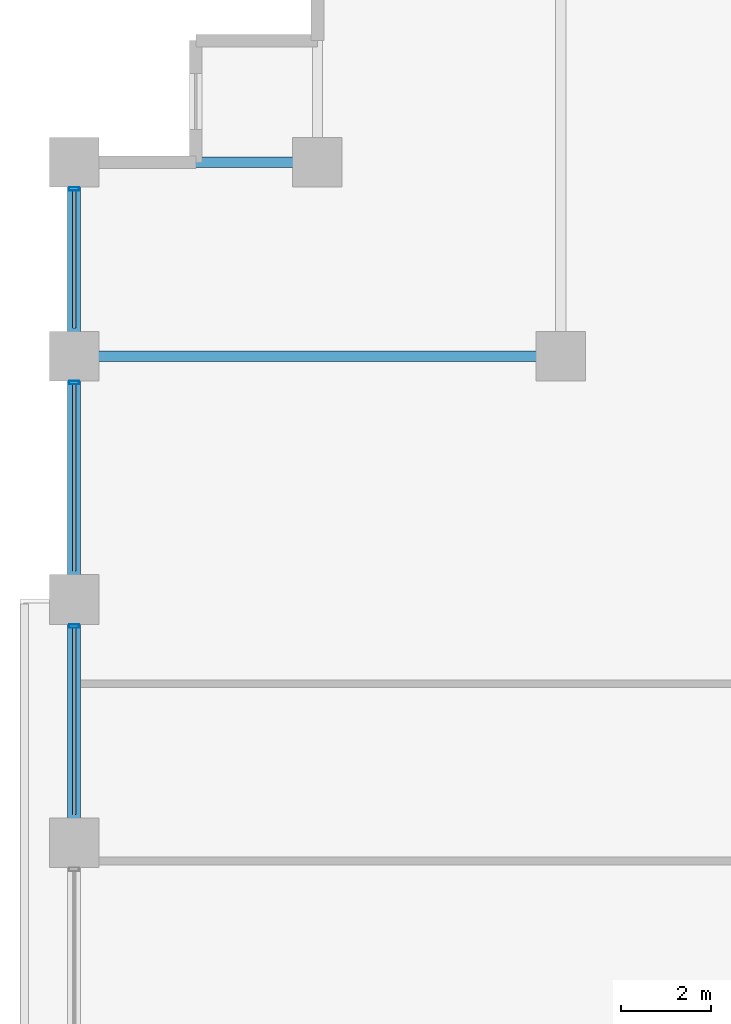
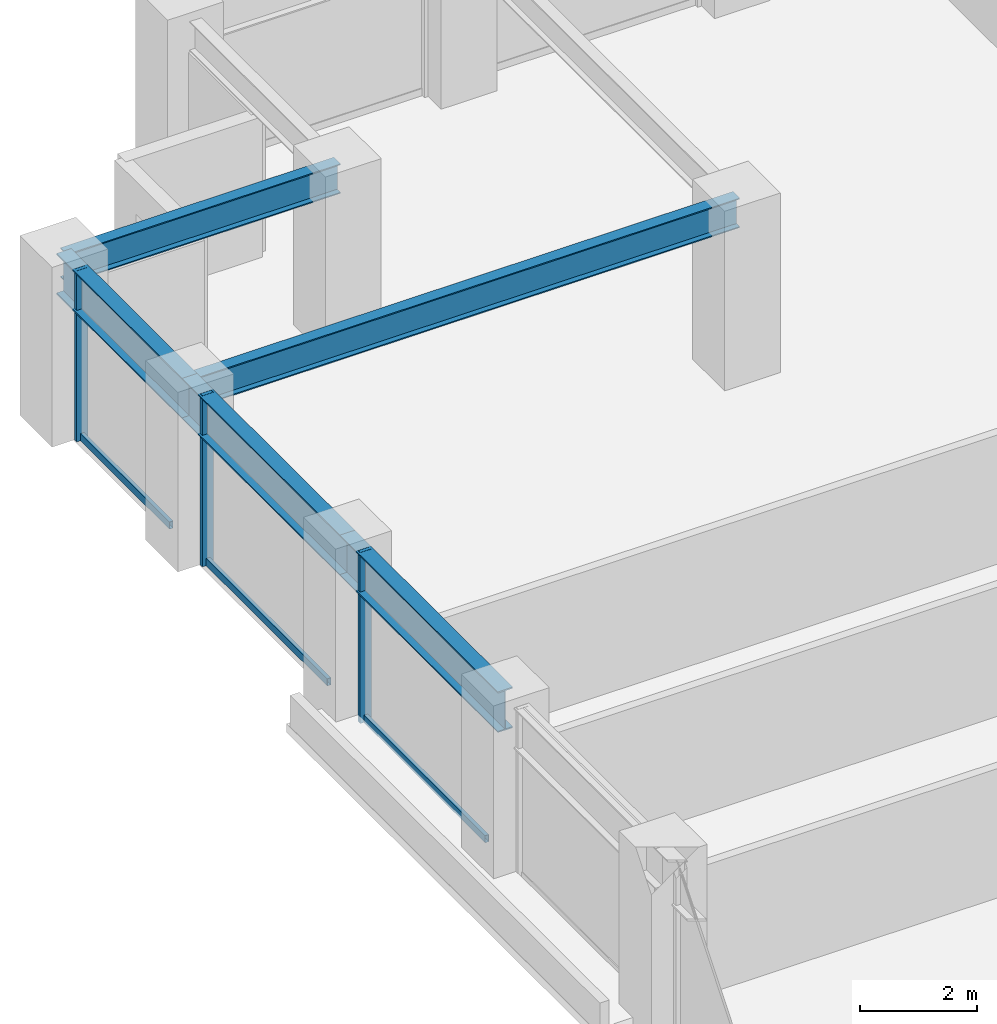
# One storey, part 10 of 24: 6 members, 5 beams, 1 element without a shape of its own.
"""IFC4 building model written with IfcOpenShell, lengths in metres."""

from ifc_helpers import new_model, si_unit, direction, frame, origin, origin_2d, place, context, subcontext, project, spatial, hollow_rectangle, i_section, extrude, material, layer, layer_set, material_profile, profile_set, type_object, element, aggregate, save


model = new_model("IFC4")

# Units and contexts
model_context = context("Model", 3, precision=1e-05, world=origin(), true_north=direction((0.0, 1.0)))
body_context = subcontext(model_context, "Body", "Model", "MODEL_VIEW")
ifc_project = project(units=[si_unit("LENGTHUNIT", "METRE"), si_unit("AREAUNIT", "SQUARE_METRE"), si_unit("VOLUMEUNIT", "CUBIC_METRE"), si_unit("PLANEANGLEUNIT", "RADIAN"), si_unit("MASSUNIT", "GRAM", prefix="KILO")], contexts=[model_context])

# Site, building, storey
site_placement = place(None, origin())
site = spatial("IfcSite", under=ifc_project, at=site_placement, CompositionType="ELEMENT")
building_placement = place(site_placement, origin())
building = spatial("IfcBuilding", under=site, at=building_placement, Name="Surkhivell Harbour Commons", CompositionType="ELEMENT")
storey_placement = place(building_placement, frame((0.0, 0.0, 105.75)))
storey = spatial("IfcBuildingStorey", under=building, at=storey_placement, Name="L27", CompositionType="ELEMENT", Elevation=105.75)

# Beams
ifc_material_1 = material(Name="Steel S355", Category="steel")
ifc_material_profile_1 = material_profile(ifc_material_1, i_section(OverallWidth=0.22998046875, OverallDepth=0.616943359375, WebThickness=0.01318359375, FlangeThickness=0.022216796875, at=origin_2d()), Name="UB610x229x140")
ifc_profile_set_1 = profile_set([ifc_material_profile_1], Name="Steel S355")
beam_type_1 = type_object("IfcBeamType", Name="BM-GRD-610B", PredefinedType="BEAM", material=ifc_profile_set_1)
beam_1_placement = place(storey_placement, frame((-32.39990234375, 16.199951171875, 3.261474609375), z_axis=(1.0, 0.0, 0.0), x_axis=(0.0, 1.0, 0.0)))
element("IfcBeam", 1, at=beam_1_placement, inside=storey, type_object=beam_type_1, Name="L27 Floor Girder (-32.4,16.2)", PredefinedType="BEAM", context=body_context, shape_type="SweptSolid", body=[
    extrude(i_section(OverallWidth=0.22998046875, OverallDepth=0.616943359375, WebThickness=0.01318359375, FlangeThickness=0.022216796875, at=origin_2d()), origin(), (0.0, 0.0, 1.0), 10.7998046875),
])
beam_2_placement = place(storey_placement, frame((-32.39990234375, 20.5, 3.261474609375), z_axis=(1.0, 0.0, 0.0), x_axis=(0.0, 1.0, 0.0)))
element("IfcBeam", 2, at=beam_2_placement, inside=storey, type_object=beam_type_1, Name="L27 Floor Girder (-32.4,20.5)", PredefinedType="BEAM", context=body_context, shape_type="SweptSolid", body=[
    extrude(i_section(OverallWidth=0.22998046875, OverallDepth=0.616943359375, WebThickness=0.01318359375, FlangeThickness=0.022216796875, at=origin_2d()), origin(), (0.0, 0.0, 1.0), 5.39990234375),
])
ifc_material_2 = material(Name="Steel S460", Category="steel")
ifc_material_profile_2 = material_profile(ifc_material_2, i_section(OverallWidth=0.2939453125, OverallDepth=0.85107421875, WebThickness=0.01611328125, FlangeThickness=0.02685546875, at=origin_2d()), Name="UB838x292x226")
ifc_profile_set_2 = profile_set([ifc_material_profile_2], Name="Steel S460")
beam_type_2 = type_object("IfcBeamType", Name="BM-SPN-838", PredefinedType="SPANDREL", material=ifc_profile_set_2)
beam_3_placement = place(storey_placement, frame((-32.39990234375, 5.39990234375, 3.14453125), z_axis=(0.0, 1.0, 0.0), x_axis=(-1.0, 0.0, 0.0)))
element("IfcBeam", 3, at=beam_3_placement, inside=storey, type_object=beam_type_2, Name="L27 Tube Spandrel (-32.4,5.4)", PredefinedType="SPANDREL", context=body_context, shape_type="SweptSolid", body=[
    extrude(i_section(OverallWidth=0.2939453125, OverallDepth=0.85107421875, WebThickness=0.01611328125, FlangeThickness=0.02685546875, at=origin_2d()), origin(), (0.0, 0.0, 1.0), 5.400146484375),
])
beam_4_placement = place(storey_placement, frame((-32.39990234375, 10.800048828125, 3.14453125), z_axis=(0.0, 1.0, 0.0), x_axis=(-1.0, 0.0, 0.0)))
element("IfcBeam", 4, at=beam_4_placement, inside=storey, type_object=beam_type_2, Name="L27 Tube Spandrel (-32.4,10.8)", PredefinedType="SPANDREL", context=body_context, shape_type="SweptSolid", body=[
    extrude(i_section(OverallWidth=0.2939453125, OverallDepth=0.85107421875, WebThickness=0.01611328125, FlangeThickness=0.02685546875, at=origin_2d()), origin(), (0.0, 0.0, 1.0), 5.39990234375),
])
beam_5_placement = place(storey_placement, frame((-32.39990234375, 16.199951171875, 3.14453125), z_axis=(0.0, 1.0, 0.0), x_axis=(-1.0, 0.0, 0.0)))
element("IfcBeam", 5, at=beam_5_placement, inside=storey, type_object=beam_type_2, Name="L27 Tube Spandrel (-32.4,16.2)", PredefinedType="SPANDREL", context=body_context, shape_type="SweptSolid", body=[
    extrude(i_section(OverallWidth=0.2939453125, OverallDepth=0.85107421875, WebThickness=0.01611328125, FlangeThickness=0.02685546875, at=origin_2d()), origin(), (0.0, 0.0, 1.0), 4.300048828125),
])

# Curtain wall, members
ifc_material_3 = material(Name="Anodised pale-metal aluminium and insulated glazing", Category="aluminium")
ifc_layer = layer(ifc_material_3, 0.205078125)
ifc_layer_set = layer_set([ifc_layer], Name="Anodised pale-metal aluminium and insulated glazing")
curtain_wall_type = type_object("IfcCurtainWallType", Name="CW-SYS-Z2", PredefinedType="NOTDEFINED", material=ifc_layer_set)
curtain_wall_placement = place(storey_placement, origin())
curtain_wall = element("IfcCurtainWall", 6, at=curtain_wall_placement, inside=storey, type_object=curtain_wall_type, Name="L27 Curtain Wall CW-L27-E12S1", PredefinedType="NOTDEFINED")
ifc_material_4 = material(Name="Anodised pale-metal aluminium alloy 6063-T6", Category="aluminium")
ifc_material_profile_3 = material_profile(ifc_material_4, hollow_rectangle(XDim=0.074951171875, YDim=0.219970703125, WallThickness=0.00390625, at=origin_2d()), Name="ALU-MULL-75x220")
ifc_profile_set_3 = profile_set([ifc_material_profile_3], Name="Anodised pale-metal aluminium alloy 6063-T6")
member_type_1 = type_object("IfcMemberType", Name="CWM-220", PredefinedType="MULLION", material=ifc_profile_set_3)
member_1_placement = place(storey_placement, frame((-32.39990234375, 19.910400390625, 0.0), z_axis=(0.0, 0.0, 1.0), x_axis=(0.0, -1.0, 0.0)))
member_1 = element("IfcMember", 7, at=member_1_placement, type_object=member_type_1, Name="CW-Z2 mullion 1", PredefinedType="MULLION", context=body_context, shape_type="SweptSolid", body=[
    extrude(hollow_rectangle(XDim=0.074951171875, YDim=0.219970703125, WallThickness=0.00390625, at=origin_2d()), origin(), (0.0, 0.0, 1.0), 3.570068359375),
])
member_2_placement = place(storey_placement, frame((-32.39990234375, 15.610595703125, 0.0), z_axis=(0.0, 0.0, 1.0), x_axis=(0.0, -1.0, 0.0)))
member_2 = element("IfcMember", 8, at=member_2_placement, type_object=member_type_1, Name="CW-Z2 mullion 2", PredefinedType="MULLION", context=body_context, shape_type="SweptSolid", body=[
    extrude(hollow_rectangle(XDim=0.074951171875, YDim=0.219970703125, WallThickness=0.00390625, at=origin_2d()), origin(), (0.0, 0.0, 1.0), 3.570068359375),
])
member_3_placement = place(storey_placement, frame((-32.39990234375, 10.21044921875, 0.0), z_axis=(0.0, 0.0, 1.0), x_axis=(0.0, -1.0, 0.0)))
member_3 = element("IfcMember", 9, at=member_3_placement, type_object=member_type_1, Name="CW-Z2 mullion 3", PredefinedType="MULLION", context=body_context, shape_type="SweptSolid", body=[
    extrude(hollow_rectangle(XDim=0.074951171875, YDim=0.219970703125, WallThickness=0.00390625, at=origin_2d()), origin(), (0.0, 0.0, 1.0), 3.570068359375),
])
ifc_material_profile_4 = material_profile(ifc_material_4, hollow_rectangle(XDim=0.074951171875, YDim=0.14990234375, WallThickness=0.00341796875, at=origin_2d()), Name="ALU-TRAN-75x150")
ifc_profile_set_4 = profile_set([ifc_material_profile_4], Name="Anodised pale-metal aluminium alloy 6063-T6")
member_type_2 = type_object("IfcMemberType", Name="CWT-150", PredefinedType="USERDEFINED", material=ifc_profile_set_4)
member_4_placement = place(storey_placement, frame((-32.39990234375, 19.873046875, 0.074951171875), z_axis=(0.0, -1.0, 0.0), x_axis=(1.0, 0.0, 0.0)))
member_4 = element("IfcMember", 10, at=member_4_placement, type_object=member_type_2, Name="CW-Z2 transom 1.1", ObjectType="TRANSOM", PredefinedType="USERDEFINED", context=body_context, shape_type="SweptSolid", body=[
    extrude(hollow_rectangle(XDim=0.074951171875, YDim=0.14990234375, WallThickness=0.00341796875, at=origin_2d()), origin(), (0.0, 0.0, 1.0), 3.046142578125),
])
member_5_placement = place(storey_placement, frame((-32.39990234375, 15.572998046875, 0.074951171875), z_axis=(0.0, -1.0, 0.0), x_axis=(1.0, 0.0, 0.0)))
member_5 = element("IfcMember", 11, at=member_5_placement, type_object=member_type_2, Name="CW-Z2 transom 2.1", ObjectType="TRANSOM", PredefinedType="USERDEFINED", context=body_context, shape_type="SweptSolid", body=[
    extrude(hollow_rectangle(XDim=0.074951171875, YDim=0.14990234375, WallThickness=0.00341796875, at=origin_2d()), origin(), (0.0, 0.0, 1.0), 4.14599609375),
])
member_6_placement = place(storey_placement, frame((-32.39990234375, 10.173095703125, 0.074951171875), z_axis=(0.0, -1.0, 0.0), x_axis=(1.0, 0.0, 0.0)))
member_6 = element("IfcMember", 12, at=member_6_placement, type_object=member_type_2, Name="CW-Z2 transom 3.1", ObjectType="TRANSOM", PredefinedType="USERDEFINED", context=body_context, shape_type="SweptSolid", body=[
    extrude(hollow_rectangle(XDim=0.074951171875, YDim=0.14990234375, WallThickness=0.00341796875, at=origin_2d()), origin(), (0.0, 0.0, 1.0), 4.14599609375),
])
aggregate(curtain_wall, [member_1, member_4, member_2, member_5, member_3, member_6])

save(model, "model.ifc")
